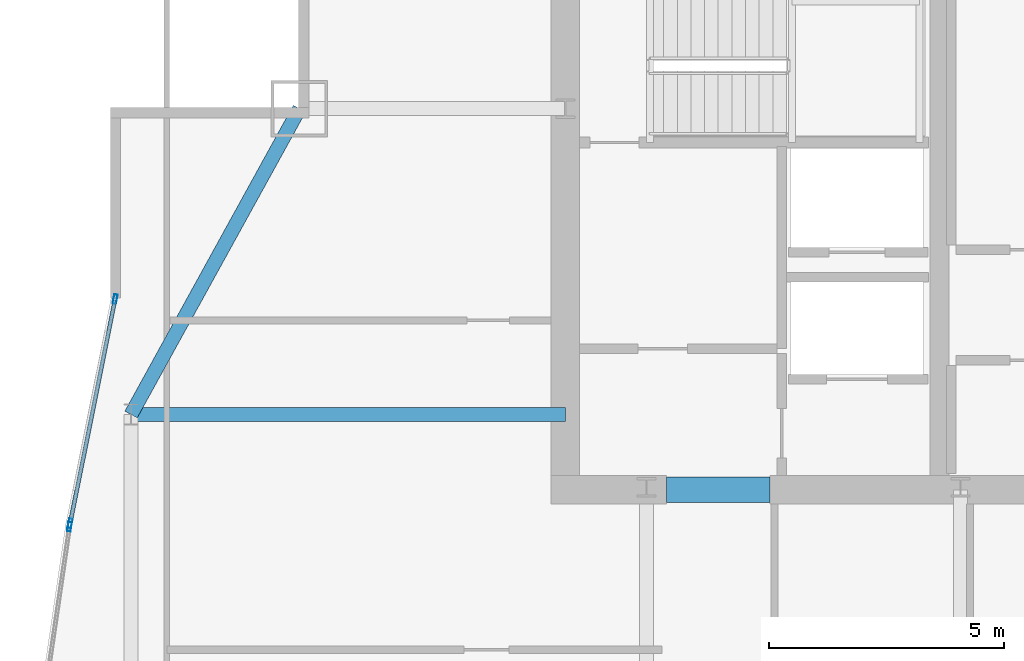
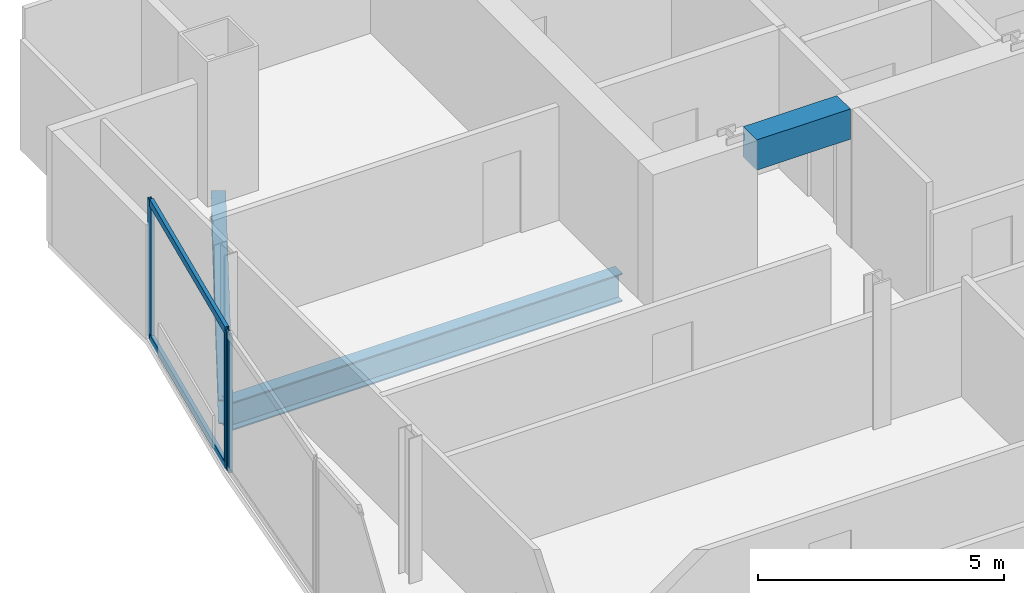
# One storey, part 20 of 30: 5 members, 3 beams, 2 elements without a shape of their own.
"""IFC4 building model written with IfcOpenShell, lengths in metres."""

from ifc_helpers import new_model, si_unit, direction, frame, origin, origin_2d, place, context, subcontext, project, spatial, rectangle, hollow_rectangle, i_section, extrude, material, material_profile, profile_set, type_object, element, aggregate, save


model = new_model("IFC4")

# Units and contexts
model_context = context("Model", 3, precision=1e-05, world=origin(), true_north=direction((0.0, 1.0)))
body_context = subcontext(model_context, "Body", "Model", "MODEL_VIEW")
ifc_project = project(units=[si_unit("LENGTHUNIT", "METRE"), si_unit("AREAUNIT", "SQUARE_METRE"), si_unit("VOLUMEUNIT", "CUBIC_METRE"), si_unit("PLANEANGLEUNIT", "RADIAN"), si_unit("MASSUNIT", "GRAM", prefix="KILO")], contexts=[model_context])

# Site, building, storey
site_placement = place(None, origin())
site = spatial("IfcSite", under=ifc_project, at=site_placement, CompositionType="ELEMENT")
building_placement = place(site_placement, origin())
building = spatial("IfcBuilding", under=site, at=building_placement, Name="Khoronbel Lancet Exchange", CompositionType="ELEMENT")
storey_placement = place(building_placement, frame((0.0, 0.0, 206.60009765625)))
storey = spatial("IfcBuildingStorey", under=building, at=storey_placement, Name="L52", CompositionType="ELEMENT", Elevation=206.60009765625)

# Beams
ifc_material_1 = material(Name="Steel S355", Category="steel")
ifc_material_profile_1 = material_profile(ifc_material_1, i_section(OverallWidth=0.300048828125, OverallDepth=0.699951171875, WebThickness=0.01708984375, FlangeThickness=0.031982421875, at=origin_2d()), Name="HEB 700")
ifc_profile_set_1 = profile_set([ifc_material_profile_1], Name="Steel S355")
beam_type_1 = type_object("IfcBeamType", Name="BM-BG3", PredefinedType="BEAM", material=ifc_profile_set_1)
beam_1_placement = place(storey_placement, frame((7.27001953125, 43.199951171875, -0.510009765625), z_axis=(1.0, 0.0, 0.0), x_axis=(0.0, 1.0, 0.0)))
element("IfcBeam", 1, at=beam_1_placement, inside=storey, type_object=beam_type_1, Name="Level L52 west lens tie girder LG3W", PredefinedType="BEAM", context=body_context, shape_type="SweptSolid", body=[
    extrude(i_section(OverallWidth=0.300048828125, OverallDepth=0.699951171875, WebThickness=0.01708984375, FlangeThickness=0.031982421875, at=origin_2d()), origin(), (0.0, 0.0, 1.0), 9.22998046875),
])
ifc_material_2 = material(Name="Concrete C60/75", Category="concrete")
ifc_material_profile_2 = material_profile(ifc_material_2, rectangle(XDim=0.550048828125, YDim=0.75, at=origin_2d()), Name="RC 550x750")
ifc_profile_set_2 = profile_set([ifc_material_profile_2], Name="Concrete C60/75")
beam_type_2 = type_object("IfcBeamType", Name="BM-BL2", PredefinedType="LINTEL", material=ifc_profile_set_2)
beam_2_placement = place(storey_placement, frame((18.64990234375, 41.60009765625, 3.06494140625), z_axis=(1.0, 0.0, 0.0), x_axis=(0.0, 1.0, 0.0)))
element("IfcBeam", 2, at=beam_2_placement, inside=storey, type_object=beam_type_2, Name="Level L52 rear core coupling lintel L1", PredefinedType="LINTEL", context=body_context, shape_type="SweptSolid", body=[
    extrude(rectangle(XDim=0.550048828125, YDim=0.75, at=origin_2d()), origin(), (0.0, 0.0, 1.0), 2.2001953125),
])
ifc_material_profile_3 = material_profile(ifc_material_1, i_section(OverallWidth=0.300048828125, OverallDepth=0.60009765625, WebThickness=0.015380859375, FlangeThickness=0.030029296875, at=origin_2d()), Name="HEB 600")
ifc_profile_set_3 = profile_set([ifc_material_profile_3], Name="Steel S355")
beam_type_3 = type_object("IfcBeamType", Name="BM-BSP2", PredefinedType="SPANDREL", material=ifc_profile_set_3)
beam_3_placement = place(storey_placement, frame((10.85009765625, 49.699951171875, -0.460205078125), z_axis=(-0.482444051088, -0.875926787791, 0.0), x_axis=(0.875926787791, -0.482444051088, 0.0)))
element("IfcBeam", 3, at=beam_3_placement, inside=storey, type_object=beam_type_3, Name="Level L52 perimeter spandrel beam SP16", PredefinedType="SPANDREL", context=body_context, shape_type="SweptSolid", body=[
    extrude(i_section(OverallWidth=0.300048828125, OverallDepth=0.60009765625, WebThickness=0.015380859375, FlangeThickness=0.030029296875, at=origin_2d()), origin(), (0.0, 0.0, 1.0), 7.420654296875),
])

# Curtain wall, member
ifc_material_3 = material(Name="Low-E Solar Control Insulating Glass", Category="glass")
curtain_wall_type = type_object("IfcCurtainWallType", Name="CW-4", PredefinedType="NOTDEFINED", material=ifc_material_3)
curtain_wall_1_placement = place(storey_placement, origin())
curtain_wall_1 = element("IfcCurtainWall", 4, at=curtain_wall_1_placement, inside=storey, type_object=curtain_wall_type, Name="Unitised curtain wall CW-L52-E08", PredefinedType="NOTDEFINED")
ifc_material_4 = material(Name="Bronze-Anodised Aluminium 6063-T6", Category="aluminium")
ifc_material_profile_4 = material_profile(ifc_material_4, hollow_rectangle(XDim=0.074951171875, YDim=0.199951171875, WallThickness=0.0048828125, at=origin_2d()), Name="ALU MULLION 75x200")
ifc_profile_set_4 = profile_set([ifc_material_profile_4], Name="Bronze-Anodised Aluminium 6063-T6")
member_type_1 = type_object("IfcMemberType", Name="MEM-CWM2", PredefinedType="MULLION", material=ifc_profile_set_4)
member_1_placement = place(storey_placement, frame((5.96337890625, 40.814208984375, 0.0), z_axis=(0.0, 0.0, 1.0), x_axis=(-0.989378391213, 0.145362990476, 0.0)))
member_1 = element("IfcMember", 5, at=member_1_placement, type_object=member_type_1, Name="CW4 mullion 2", PredefinedType="MULLION", context=body_context, shape_type="SweptSolid", body=[
    extrude(hollow_rectangle(XDim=0.074951171875, YDim=0.199951171875, WallThickness=0.0048828125, at=origin_2d()), origin(), (0.0, 0.0, 1.0), 3.43994140625),
])
aggregate(curtain_wall_1, [member_1])

# Curtain wall, members
curtain_wall_2_placement = place(storey_placement, origin())
curtain_wall_2 = element("IfcCurtainWall", 6, at=curtain_wall_2_placement, inside=storey, type_object=curtain_wall_type, Name="Unitised curtain wall CW-L52-E09", PredefinedType="NOTDEFINED")
member_2_placement = place(storey_placement, frame((5.97607421875, 40.88818359375, 0.0), z_axis=(0.0, 0.0, 1.0), x_axis=(-0.980454248694, 0.196747214001, 0.0)))
member_2 = element("IfcMember", 7, at=member_2_placement, type_object=member_type_1, Name="CW4 mullion 1", PredefinedType="MULLION", context=body_context, shape_type="SweptSolid", body=[
    extrude(hollow_rectangle(XDim=0.074951171875, YDim=0.199951171875, WallThickness=0.0048828125, at=origin_2d()), origin(), (0.0, 0.0, 1.0), 3.43994140625),
])
member_3_placement = place(storey_placement, frame((6.9326171875, 45.654296875, 0.0), z_axis=(0.0, 0.0, 1.0), x_axis=(-0.980454248694, 0.196747214001, 0.0)))
member_3 = element("IfcMember", 8, at=member_3_placement, type_object=member_type_1, Name="CW4 mullion 2", PredefinedType="MULLION", context=body_context, shape_type="SweptSolid", body=[
    extrude(hollow_rectangle(XDim=0.074951171875, YDim=0.199951171875, WallThickness=0.0048828125, at=origin_2d()), origin(), (0.0, 0.0, 1.0), 3.43994140625),
])
ifc_material_profile_5 = material_profile(ifc_material_4, hollow_rectangle(XDim=0.0849609375, YDim=0.179931640625, WallThickness=0.0048828125, at=origin_2d()), Name="ALU TRANSOM 85x180")
ifc_profile_set_5 = profile_set([ifc_material_profile_5], Name="Bronze-Anodised Aluminium 6063-T6")
member_type_2 = type_object("IfcMemberType", Name="MEM-CWT1", PredefinedType="USERDEFINED", material=ifc_profile_set_5)
member_4_placement = place(storey_placement, frame((5.983642578125, 40.9248046875, 0.04248046875), z_axis=(0.196734065826, 0.98045688704, 0.0), x_axis=(-0.98045688704, 0.196734065826, 0.0)))
member_4 = element("IfcMember", 9, at=member_4_placement, type_object=member_type_2, Name="CW4 transom 1.1", ObjectType="TRANSOM", PredefinedType="USERDEFINED", context=body_context, shape_type="SweptSolid", body=[
    extrude(hollow_rectangle(XDim=0.0849609375, YDim=0.179931640625, WallThickness=0.0048828125, at=origin_2d()), origin(), (0.0, 0.0, 1.0), 4.786376953125),
])
member_5_placement = place(storey_placement, frame((5.983642578125, 40.9248046875, 3.3974609375), z_axis=(0.196734065826, 0.98045688704, 0.0), x_axis=(-0.98045688704, 0.196734065826, 0.0)))
member_5 = element("IfcMember", 10, at=member_5_placement, type_object=member_type_2, Name="CW4 transom 1.2", ObjectType="TRANSOM", PredefinedType="USERDEFINED", context=body_context, shape_type="SweptSolid", body=[
    extrude(hollow_rectangle(XDim=0.0849609375, YDim=0.179931640625, WallThickness=0.0048828125, at=origin_2d()), origin(), (0.0, 0.0, 1.0), 4.786376953125),
])
aggregate(curtain_wall_2, [member_2, member_3, member_4, member_5])

save(model, "model.ifc")
